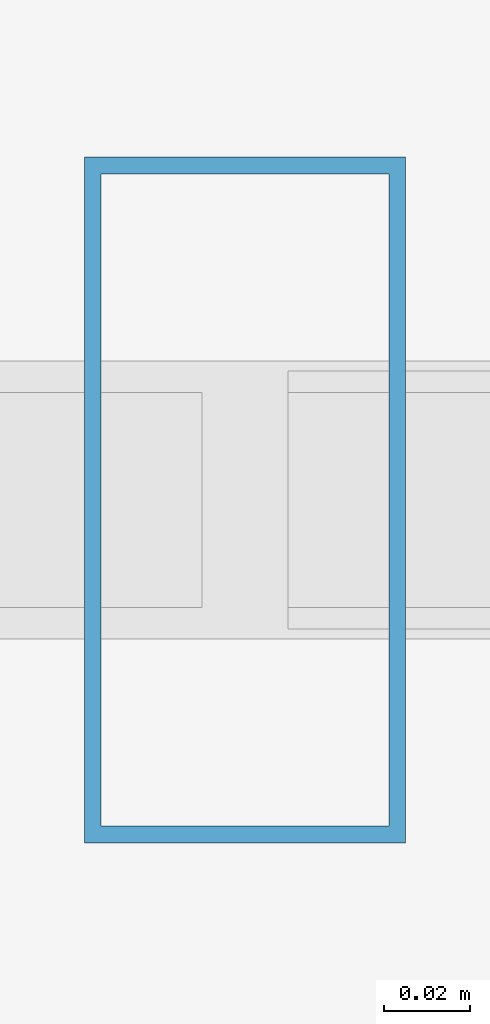
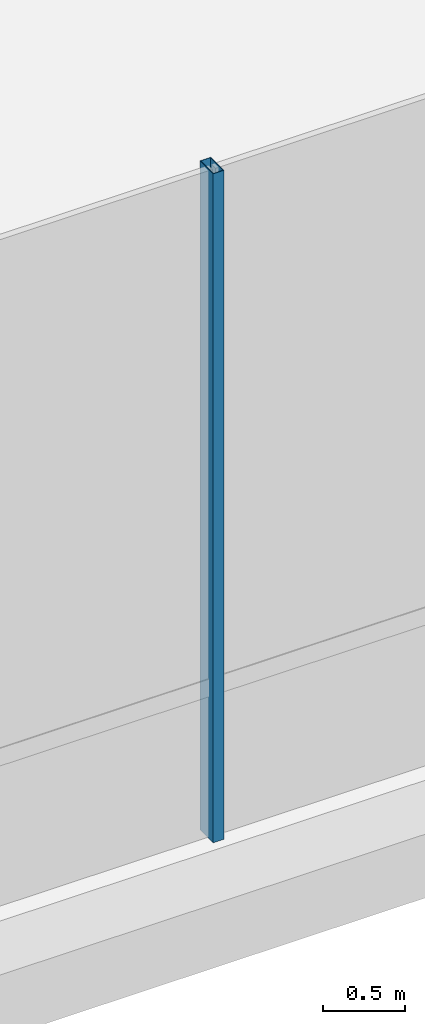
# One storey, part 8 of 41: 1 member, 1 element without a shape of its own.
"""IFC4 building model written with IfcOpenShell, lengths in metres."""

from ifc_helpers import new_model, si_unit, direction, frame, origin, origin_2d, place, context, subcontext, project, spatial, hollow_rectangle, extrude, source, transform, mapped, material, material_profile, profile_set, type_object, element, aggregate, save


model = new_model("IFC4")

# Units and contexts
model_context = context("Model", 3, precision=1e-05, world=origin(), true_north=direction((0.0, 1.0)))
body_context = subcontext(model_context, "Body", "Model", "MODEL_VIEW")
ifc_project = project(units=[si_unit("LENGTHUNIT", "METRE"), si_unit("AREAUNIT", "SQUARE_METRE"), si_unit("VOLUMEUNIT", "CUBIC_METRE"), si_unit("PLANEANGLEUNIT", "RADIAN"), si_unit("MASSUNIT", "GRAM", prefix="KILO")], contexts=[model_context])

# Site, building, storey
site_placement = place(None, origin())
site = spatial("IfcSite", under=ifc_project, at=site_placement, CompositionType="ELEMENT")
building_placement = place(site_placement, origin())
building = spatial("IfcBuilding", under=site, at=building_placement, Name="Valdorenza Pilgrim Sanctuary Tower", CompositionType="ELEMENT")
storey_placement = place(building_placement, frame((0.0, 0.0, 20.800048828125)))
storey = spatial("IfcBuildingStorey", under=building, at=storey_placement, Name="L04", CompositionType="ELEMENT", Elevation=20.800048828125)

# Curtain wall, member
ifc_material_1 = material(Name="Curtain-wall IGU glazing", Category="glass")
curtain_wall_type = type_object("IfcCurtainWallType", Name="CW-SYS-01", PredefinedType="NOTDEFINED", material=ifc_material_1)
curtain_wall_placement = place(storey_placement, origin())
curtain_wall = element("IfcCurtainWall", 1, at=curtain_wall_placement, inside=storey, type_object=curtain_wall_type, Name="L04 Curtain Wall CW-POD-L04-ARCH-CROWN", PredefinedType="NOTDEFINED")
ifc_material_2 = material(Name="Anodised aluminium AW-6060", Category="aluminium")
ifc_material_profile = material_profile(ifc_material_2, hollow_rectangle(XDim=0.074951171875, YDim=0.159912109375, WallThickness=0.00390625, at=origin_2d()), Name="ALU-M 160x75x4")
ifc_profile_set = profile_set([ifc_material_profile], Name="Anodised aluminium AW-6060")
member_type = type_object("IfcMemberType", Name="CW-MUL-01", PredefinedType="MULLION", material=ifc_profile_set)
shared_shape = source(origin(), body_context, "Body", "SweptSolid", [
    extrude(hollow_rectangle(XDim=0.074951171875, YDim=0.159912109375, WallThickness=0.00390625, at=origin_2d()), origin(), (0.0, 0.0, 1.0), 4.9599609375),
])
member_placement = place(storey_placement, frame((0.0, -22.85009765625, 0.0), z_axis=(0.0, 0.0, 1.0), x_axis=(1.0, 0.0, 0.0)))
member = element("IfcMember", 2, at=member_placement, type_object=member_type, Name="CW-POD-L04-ARCH-CROWN Mullion 3", PredefinedType="MULLION", context=body_context, shape_type="MappedRepresentation", body=[
    mapped(shared_shape, transform((0.0, 0.0, 0.0), x_axis=(1.0, 0.0, 0.0), y_axis=(0.0, 1.0, 0.0), z_axis=(0.0, 0.0, 1.0), scale=1.0)),
])
aggregate(curtain_wall, [member])

save(model, "model.ifc")
